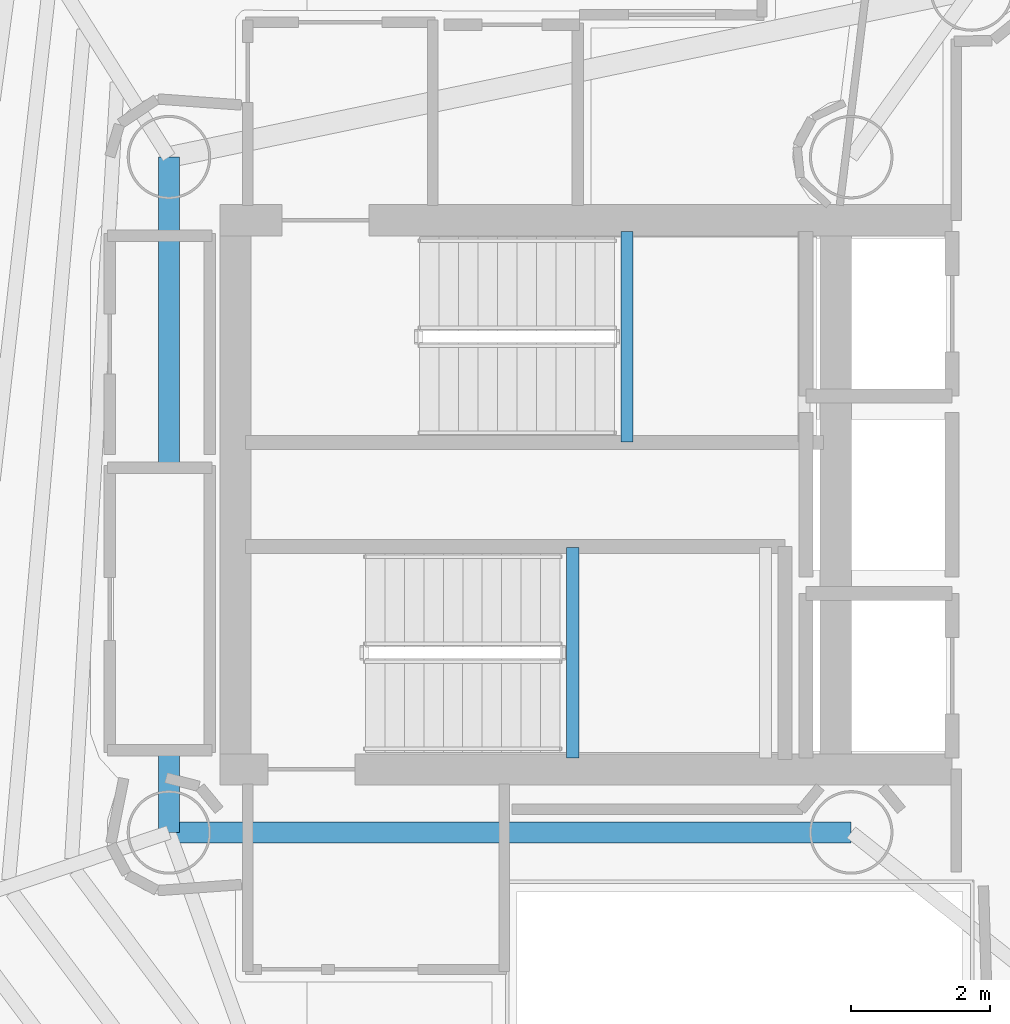
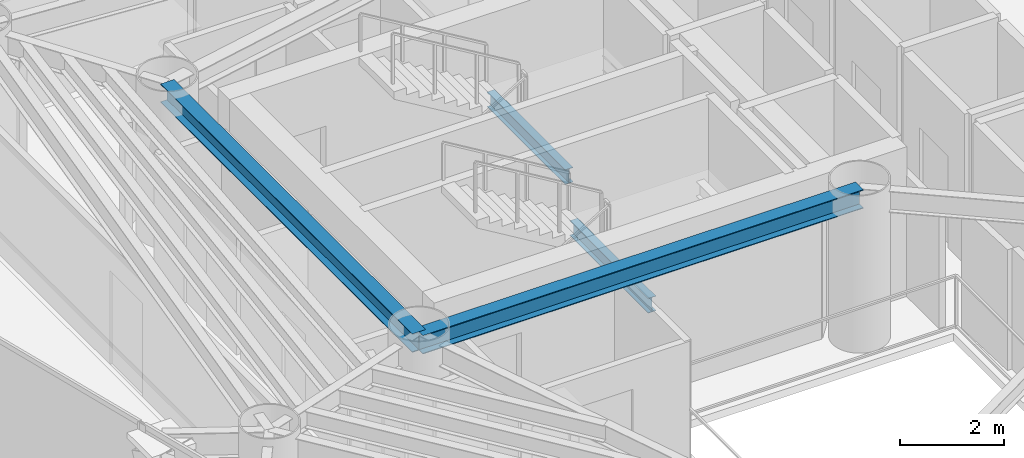
# One storey, part 8 of 22: 4 beams.
"""IFC4 building model written with IfcOpenShell, lengths in metres."""

from ifc_helpers import new_model, si_unit, direction, frame, origin, origin_2d, place, context, subcontext, project, spatial, i_section, extrude, material, material_profile, profile_set, type_object, element, save


model = new_model("IFC4")

# Units and contexts
model_context = context("Model", 3, precision=1e-05, world=origin(), true_north=direction((0.0, 1.0)))
body_context = subcontext(model_context, "Body", "Model", "MODEL_VIEW")
ifc_project = project(units=[si_unit("LENGTHUNIT", "METRE"), si_unit("AREAUNIT", "SQUARE_METRE"), si_unit("VOLUMEUNIT", "CUBIC_METRE"), si_unit("PLANEANGLEUNIT", "RADIAN"), si_unit("MASSUNIT", "GRAM", prefix="KILO")], contexts=[model_context])

# Site, building, storey
site_placement = place(None, origin())
site = spatial("IfcSite", under=ifc_project, at=site_placement, CompositionType="ELEMENT")
building_placement = place(site_placement, origin())
building = spatial("IfcBuilding", under=site, at=building_placement, Name="Qianvela Tower", CompositionType="ELEMENT")
storey_placement = place(building_placement, frame((0.0, 0.0, 207.699951171875)))
storey = spatial("IfcBuildingStorey", under=building, at=storey_placement, Name="L53", CompositionType="ELEMENT", Elevation=207.699951171875)

# Beams
ifc_material_1 = material(Name="Steel Q355B", Category="steel")
ifc_material_profile_1 = material_profile(ifc_material_1, i_section(OverallWidth=0.300048828125, OverallDepth=0.43994140625, WebThickness=0.010986328125, FlangeThickness=0.01806640625, at=origin_2d()), Name="HM440x300x11x18")
ifc_profile_set_1 = profile_set([ifc_material_profile_1], Name="Steel Q355B")
beam_type_1 = type_object("IfcBeamType", Name="BM-HM440-COLL", PredefinedType="BEAM", material=ifc_profile_set_1)
beam_1_placement = place(storey_placement, frame((28.60009765625, 23.85009765625, 3.298095703125), z_axis=(1.0, 0.0, 0.0), x_axis=(0.0, 1.0, 0.0)))
element("IfcBeam", 1, at=beam_1_placement, inside=storey, type_object=beam_type_1, Name="L53 Core Ring Collector Girder CC1", PredefinedType="BEAM", context=body_context, shape_type="SweptSolid", body=[
    extrude(i_section(OverallWidth=0.300048828125, OverallDepth=0.43994140625, WebThickness=0.010986328125, FlangeThickness=0.01806640625, at=origin_2d()), origin(), (0.0, 0.0, 1.0), 9.7998046875),
])
beam_2_placement = place(storey_placement, frame((28.60009765625, 33.550048828125, 3.298095703125), z_axis=(0.0, -1.0, 0.0), x_axis=(1.0, 0.0, 0.0)))
element("IfcBeam", 2, at=beam_2_placement, inside=storey, type_object=beam_type_1, Name="L53 Core Ring Collector Girder CC2", PredefinedType="BEAM", context=body_context, shape_type="SweptSolid", body=[
    extrude(i_section(OverallWidth=0.300048828125, OverallDepth=0.43994140625, WebThickness=0.010986328125, FlangeThickness=0.01806640625, at=origin_2d()), origin(), (0.0, 0.0, 1.0), 9.699951171875),
])
ifc_material_2 = material(Name="Steel Q355B", Category="steel")
ifc_material_profile_2 = material_profile(ifc_material_2, i_section(OverallWidth=0.175048828125, OverallDepth=0.35009765625, WebThickness=0.007080078125, FlangeThickness=0.010986328125, at=origin_2d()), Name="HN350x175x7x11")
ifc_profile_set_2 = profile_set([ifc_material_profile_2], Name="Steel Q355B")
beam_type_2 = type_object("IfcBeamType", Name="BM-HN350-JOIST", PredefinedType="JOIST", material=ifc_profile_set_2)
for number, where, z_axis, x_axis, name in (
    (3, (35.179931640625, 29.4599609375, 1.47509765625), (0.0, 1.0, 0.0), (-1.0, 0.0, 0.0), "L53 Stair ST-1 Landing Support Beam 1.1"),
    (4, (34.39990234375, 24.919921875, 1.47509765625), (0.0, 1.0, 0.0), (-1.0, 0.0, 0.0), "L53 Stair ST-2 Landing Support Beam 1.1"),
):
    element("IfcBeam", number, at=place(storey_placement, frame(where, z_axis=z_axis, x_axis=x_axis)), inside=storey, type_object=beam_type_2, Name=name, PredefinedType="JOIST", context=body_context, shape_type="SweptSolid", body=[
        extrude(i_section(OverallWidth=0.175048828125, OverallDepth=0.35009765625, WebThickness=0.007080078125, FlangeThickness=0.010986328125, at=origin_2d()), origin(), (0.0, 0.0, 1.0), 3.02001953125),
    ])

save(model, "model.ifc")
